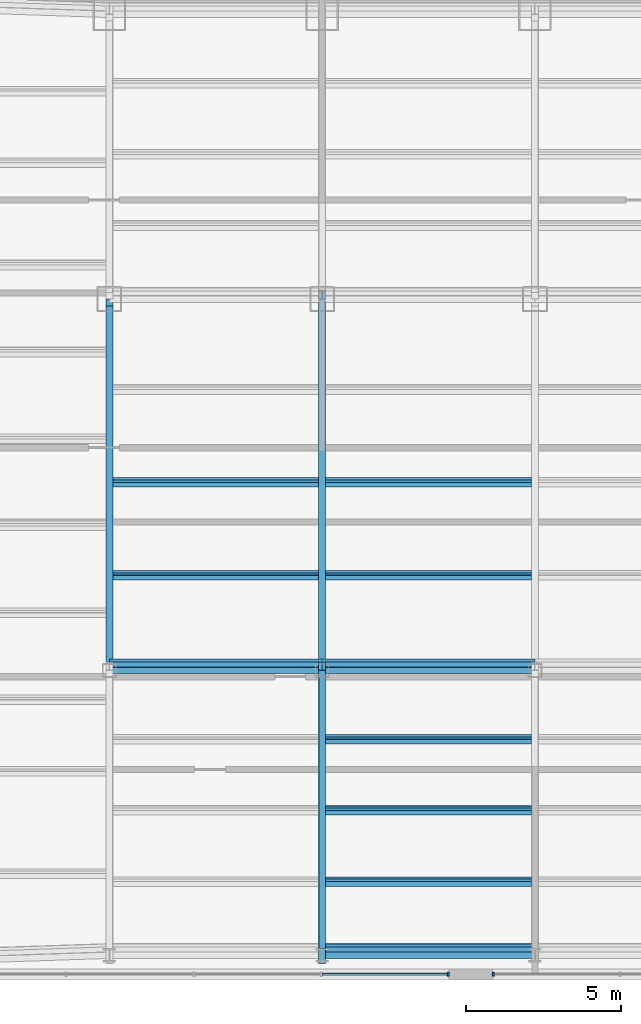
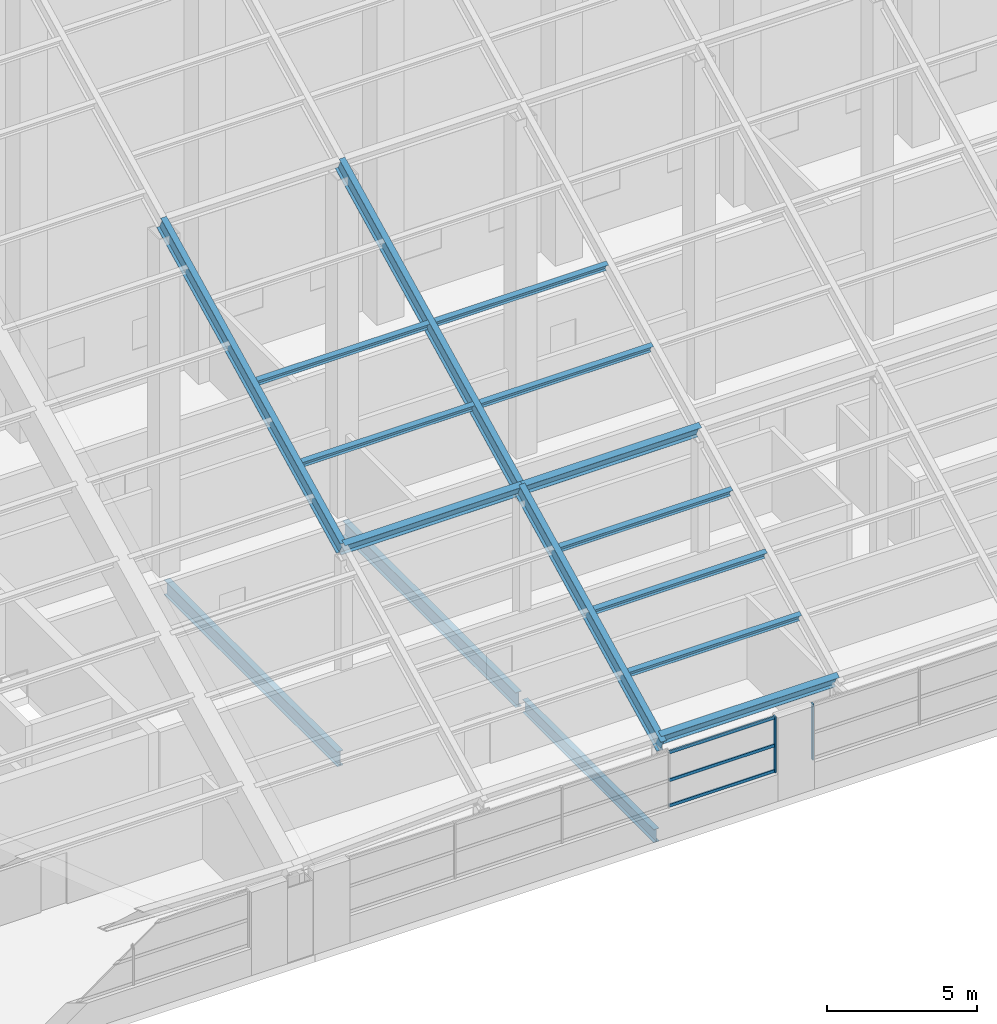
# One storey, part 8 of 28: 18 members, 3 beams, 2 elements without a shape of their own.
"""IFC4 building model written with IfcOpenShell, lengths in metres."""

from ifc_helpers import new_model, si_unit, direction, frame, origin, origin_2d, place, context, subcontext, project, spatial, rectangle, i_section, extrude, material, material_profile, profile_set, type_object, element, aggregate, save


model = new_model("IFC4")

# Units and contexts
model_context = context("Model", 3, precision=1e-05, world=origin(), true_north=direction((0.0, 1.0)))
body_context = subcontext(model_context, "Body", "Model", "MODEL_VIEW")
ifc_project = project(units=[si_unit("LENGTHUNIT", "METRE"), si_unit("AREAUNIT", "SQUARE_METRE"), si_unit("VOLUMEUNIT", "CUBIC_METRE"), si_unit("PLANEANGLEUNIT", "RADIAN"), si_unit("MASSUNIT", "GRAM", prefix="KILO")], contexts=[model_context])

# Site, building, storey
site_placement = place(None, origin())
site = spatial("IfcSite", under=ifc_project, at=site_placement, CompositionType="ELEMENT")
building_placement = place(site_placement, origin())
building = spatial("IfcBuilding", under=site, at=building_placement, Name="Tuart Gate Housing", CompositionType="ELEMENT")
storey_placement = place(building_placement, frame((0.0, 0.0, 243.89990234375)))
storey = spatial("IfcBuildingStorey", under=building, at=storey_placement, Name="L68", CompositionType="ELEMENT", Elevation=243.89990234375)

# Members
ifc_material_1 = material(Name="Steel Grade 350", Category="steel")
ifc_material_profile_1 = material_profile(ifc_material_1, i_section(OverallWidth=0.22900390625, OverallDepth=0.612060546875, WebThickness=0.011962890625, FlangeThickness=0.01953125, at=origin_2d()), Name="610UB125")
ifc_profile_set_1 = profile_set([ifc_material_profile_1], Name="Steel Grade 350")
member_type_1 = type_object("IfcMemberType", Name="Crown purlin 610 UB125", PredefinedType="PURLIN", material=ifc_profile_set_1)
for number, where, z_axis, x_axis, name in (
    (1, (89.75, 54.936767578125, 3.426513671875), (1.0, 0.0, 0.0), (0.0, 0.89442680992, 0.44721435766), "Crown purlin 8"),
    (2, (82.875, 64.13671875, 8.0263671875), (1.0, 0.0, 0.0), (0.0, 0.89442680992, 0.44721435766), "Crown purlin 19"),
    (3, (89.75, 64.13671875, 8.0263671875), (1.0, 0.0, 0.0), (0.0, 0.89442680992, 0.44721435766), "Crown purlin 20"),
):
    element("IfcMember", number, at=place(storey_placement, frame(where, z_axis=z_axis, x_axis=x_axis)), inside=storey, type_object=member_type_1, Name=name, PredefinedType="PURLIN", context=body_context, shape_type="SweptSolid", body=[
        extrude(i_section(OverallWidth=0.22900390625, OverallDepth=0.612060546875, WebThickness=0.011962890625, FlangeThickness=0.01953125, at=origin_2d()), origin(), (0.0, 0.0, 1.0), 6.875),
    ])
ifc_material_2 = material(Name="Steel Grade 350", Category="steel")
ifc_material_profile_2 = material_profile(ifc_material_2, i_section(OverallWidth=0.22900390625, OverallDepth=0.612060546875, WebThickness=0.011962890625, FlangeThickness=0.01953125, at=origin_2d()), Name="610UB125")
ifc_profile_set_2 = profile_set([ifc_material_profile_2], Name="Steel Grade 350")
member_type_2 = type_object("IfcMemberType", Name="Crown rafter 610 UB125 (10.3-10.6 m)", PredefinedType="RAFTER", material=ifc_profile_set_2)
member_1_placement = place(storey_placement, frame((89.75, 54.6630859375, 3.28955078125), z_axis=(0.0, 0.894427191, 0.4472135955), x_axis=(-1.0, 0.0, 0.0)))
element("IfcMember", 4, at=member_1_placement, inside=storey, type_object=member_type_2, Name="Crown rafter 15", PredefinedType="RAFTER", context=body_context, shape_type="SweptSolid", body=[
    extrude(i_section(OverallWidth=0.22900390625, OverallDepth=0.612060546875, WebThickness=0.011962890625, FlangeThickness=0.01953125, at=origin_2d()), origin(), (0.0, 0.0, 1.0), 10.591796875),
])
ifc_material_3 = material(Name="Steel Grade 350", Category="steel")
ifc_material_profile_3 = material_profile(ifc_material_3, i_section(OverallWidth=0.22900390625, OverallDepth=0.612060546875, WebThickness=0.011962890625, FlangeThickness=0.01953125, at=origin_2d()), Name="610UB125")
ifc_profile_set_3 = profile_set([ifc_material_profile_3], Name="Steel Grade 350")
member_type_3 = type_object("IfcMemberType", Name="Crown rafter 610 UB125 (13.4-13.4 m)", PredefinedType="RAFTER", material=ifc_profile_set_3)
for number, where, z_axis, x_axis, name in (
    (5, (82.875, 64.13671875, 8.0263671875), (0.0, 0.894427191, 0.4472135955), (-1.0, 0.0, 0.0), "Crown rafter 13"),
    (6, (89.75, 64.13671875, 8.0263671875), (0.0, 0.894427191, 0.4472135955), (-1.0, 0.0, 0.0), "Crown rafter 16"),
):
    element("IfcMember", number, at=place(storey_placement, frame(where, z_axis=z_axis, x_axis=x_axis)), inside=storey, type_object=member_type_3, Name=name, PredefinedType="RAFTER", context=body_context, shape_type="SweptSolid", body=[
        extrude(i_section(OverallWidth=0.22900390625, OverallDepth=0.612060546875, WebThickness=0.011962890625, FlangeThickness=0.01953125, at=origin_2d()), origin(), (0.0, 0.0, 1.0), 13.41650390625),
    ])
ifc_material_4 = material(Name="Steel Grade 350", Category="steel")
ifc_material_profile_4 = material_profile(ifc_material_4, i_section(OverallWidth=0.1708984375, OverallDepth=0.35205078125, WebThickness=0.0068359375, FlangeThickness=0.009765625, at=origin_2d()), Name="360UB44.7")
ifc_profile_set_4 = profile_set([ifc_material_profile_4], Name="Steel Grade 350")
member_type_4 = type_object("IfcMemberType", Name="Crown secondary purlin 360 UB44.7", PredefinedType="PURLIN", material=ifc_profile_set_4)
for number, where, z_axis, x_axis, name in (
    (7, (89.864501953125, 57.1787109375, 4.692626953125), (1.0, 0.0, 0.0), (0.0, 0.89442680992, 0.44721435766), "Crown secondary purlin 2"),
    (8, (89.864501953125, 59.478759765625, 5.8427734375), (1.0, 0.0, 0.0), (0.0, 0.89442680992, 0.44721435766), "Crown secondary purlin 17"),
    (9, (89.864501953125, 61.77880859375, 6.99267578125), (1.0, 0.0, 0.0), (0.0, 0.89442680992, 0.44721435766), "Crown secondary purlin 29"),
    (10, (82.989501953125, 67.07861328125, 9.642578125), (1.0, 0.0, 0.0), (0.0, 0.89442680992, 0.44721435766), "Crown secondary purlin 52"),
    (11, (89.864501953125, 67.07861328125, 9.642578125), (1.0, 0.0, 0.0), (0.0, 0.89442680992, 0.44721435766), "Crown secondary purlin 53"),
    (12, (82.989501953125, 70.07861328125, 11.142578125), (1.0, 0.0, 0.0), (0.0, 0.89442680992, 0.44721435766), "Crown secondary purlin 67"),
    (13, (89.864501953125, 70.07861328125, 11.142578125), (1.0, 0.0, 0.0), (0.0, 0.89442680992, 0.44721435766), "Crown secondary purlin 68"),
):
    element("IfcMember", number, at=place(storey_placement, frame(where, z_axis=z_axis, x_axis=x_axis)), inside=storey, type_object=member_type_4, Name=name, PredefinedType="PURLIN", context=body_context, shape_type="SweptSolid", body=[
        extrude(i_section(OverallWidth=0.1708984375, OverallDepth=0.35205078125, WebThickness=0.0068359375, FlangeThickness=0.009765625, at=origin_2d()), origin(), (0.0, 0.0, 1.0), 6.64599609375),
    ])

# Beams
ifc_material_5 = material(Name="Steel Grade 350", Category="steel")
ifc_material_profile_5 = material_profile(ifc_material_5, i_section(OverallWidth=0.208984375, OverallDepth=0.532958984375, WebThickness=0.01025390625, FlangeThickness=0.015625, at=origin_2d()), Name="530UB92.4")
ifc_profile_set_5 = profile_set([ifc_material_profile_5], Name="Steel Grade 350")
beam_type_1 = type_object("IfcBeamType", Name="Floor beam 530 UB92.4", PredefinedType="BEAM", material=ifc_profile_set_5)
beam_placement = place(storey_placement, frame((89.75, 55.014892578125, -0.56689453125), z_axis=(0.0, 1.0, 0.0), x_axis=(-1.0, 0.0, 0.0)))
element("IfcBeam", 14, at=beam_placement, inside=storey, type_object=beam_type_1, Name="Block floor beam L68 bay 2 position 1", PredefinedType="BEAM", context=body_context, shape_type="SweptSolid", body=[
    extrude(i_section(OverallWidth=0.208984375, OverallDepth=0.532958984375, WebThickness=0.01025390625, FlangeThickness=0.015625, at=origin_2d()), origin(), (0.0, 0.0, 1.0), 8.77001953125),
])
ifc_material_6 = material(Name="Steel Grade 350", Category="steel")
ifc_material_profile_6 = material_profile(ifc_material_6, i_section(OverallWidth=0.22900390625, OverallDepth=0.612060546875, WebThickness=0.011962890625, FlangeThickness=0.01953125, at=origin_2d()), Name="610UB125")
ifc_profile_set_6 = profile_set([ifc_material_profile_6], Name="Steel Grade 350")
beam_type_2 = type_object("IfcBeamType", Name="Floor beam 610 UB125", PredefinedType="BEAM", material=ifc_profile_set_6)
for number, where, z_axis, x_axis, name in (
    (15, (82.875, 64.215087890625, -0.60595703125), (0.0, 1.0, 0.0), (-1.0, 0.0, 0.0), "Block floor beam L68 bay 1 position 2"),
    (16, (89.75, 64.215087890625, -0.60595703125), (0.0, 1.0, 0.0), (-1.0, 0.0, 0.0), "Block floor beam L68 bay 2 position 2"),
):
    element("IfcBeam", number, at=place(storey_placement, frame(where, z_axis=z_axis, x_axis=x_axis)), inside=storey, type_object=beam_type_2, Name=name, PredefinedType="BEAM", context=body_context, shape_type="SweptSolid", body=[
        extrude(i_section(OverallWidth=0.22900390625, OverallDepth=0.612060546875, WebThickness=0.011962890625, FlangeThickness=0.01953125, at=origin_2d()), origin(), (0.0, 0.0, 1.0), 11.56982421875),
    ])

# Curtain wall, member
ifc_material_7 = material(Name="Aluminium and clear glass", Category="aluminium")
curtain_wall_type = type_object("IfcCurtainWallType", Name="Crown clerestory glazing", PredefinedType="USERDEFINED", material=ifc_material_7)
curtain_wall_1_placement = place(storey_placement, origin())
curtain_wall_1 = element("IfcCurtainWall", 17, at=curtain_wall_1_placement, inside=storey, type_object=curtain_wall_type, Name="Crown clerestory glazing BLK-S L68", ObjectType="CROWN CLERESTORY GLAZING", PredefinedType="USERDEFINED")
ifc_material_8 = material(Name="Anodised aluminium", Category="aluminium")
ifc_material_profile_7 = material_profile(ifc_material_8, rectangle(XDim=0.06005859375, YDim=0.125, at=origin_2d()), Name="60x125")
ifc_profile_set_7 = profile_set([ifc_material_profile_7], Name="Anodised aluminium")
member_type_5 = type_object("IfcMemberType", Name="Mullion 60 x 125", PredefinedType="MULLION", material=ifc_profile_set_7)
member_2_placement = place(storey_placement, frame((93.820068359375, 54.179931640625, 1.10009765625), z_axis=(0.0, 0.0, 1.0), x_axis=(1.0, 0.0, 0.0)))
member_2 = element("IfcMember", 18, at=member_2_placement, type_object=member_type_5, Name="CW6 mullion 5", PredefinedType="MULLION", context=body_context, shape_type="SweptSolid", body=[
    extrude(rectangle(XDim=0.06005859375, YDim=0.125, at=origin_2d()), origin(), (0.0, 0.0, 1.0), 2.2900390625),
])

curtain_wall_2_placement = place(storey_placement, origin())
curtain_wall_2 = element("IfcCurtainWall", 19, at=curtain_wall_2_placement, inside=storey, type_object=curtain_wall_type, Name="Crown clerestory glazing BLK-S L68", ObjectType="CROWN CLERESTORY GLAZING", PredefinedType="USERDEFINED")
member_3_placement = place(storey_placement, frame((95.280029296875, 54.179931640625, 1.10009765625), z_axis=(0.0, 0.0, 1.0), x_axis=(1.0, 0.0, 0.0)))
member_3 = element("IfcMember", 20, at=member_3_placement, type_object=member_type_5, Name="CW6 mullion 1", PredefinedType="MULLION", context=body_context, shape_type="SweptSolid", body=[
    extrude(rectangle(XDim=0.06005859375, YDim=0.125, at=origin_2d()), origin(), (0.0, 0.0, 1.0), 2.2900390625),
])
aggregate(curtain_wall_2, [member_3])

# Member
ifc_material_9 = material(Name="Anodised aluminium", Category="aluminium")
ifc_material_profile_8 = material_profile(ifc_material_9, rectangle(XDim=0.06005859375, YDim=0.1201171875, at=origin_2d()), Name="60x120")
ifc_profile_set_8 = profile_set([ifc_material_profile_8], Name="Anodised aluminium")
member_type_6 = type_object("IfcMemberType", Name="Transom 60 x 120", PredefinedType="USERDEFINED", material=ifc_profile_set_8)
member_4_placement = place(storey_placement, frame((89.7548828125, 54.179931640625, 1.16015625), z_axis=(1.0, 0.0, 0.0), x_axis=(0.0, 1.0, 0.0)))
member_4 = element("IfcMember", 21, at=member_4_placement, type_object=member_type_6, Name="CW6 transom 4.1", ObjectType="TRANSOM", PredefinedType="USERDEFINED", context=body_context, shape_type="SweptSolid", body=[
    extrude(rectangle(XDim=0.06005859375, YDim=0.1201171875, at=origin_2d()), origin(), (0.0, 0.0, 1.0), 4.03515625),
])

member_5_placement = place(storey_placement, frame((89.7548828125, 54.179931640625, 2.2001953125), z_axis=(1.0, 0.0, 0.0), x_axis=(0.0, 1.0, 0.0)))
member_5 = element("IfcMember", 22, at=member_5_placement, type_object=member_type_6, Name="CW6 transom 4.2", ObjectType="TRANSOM", PredefinedType="USERDEFINED", context=body_context, shape_type="SweptSolid", body=[
    extrude(rectangle(XDim=0.06005859375, YDim=0.1201171875, at=origin_2d()), origin(), (0.0, 0.0, 1.0), 4.03515625),
])

member_6_placement = place(storey_placement, frame((89.7548828125, 54.179931640625, 3.330078125), z_axis=(1.0, 0.0, 0.0), x_axis=(0.0, 1.0, 0.0)))
member_6 = element("IfcMember", 23, at=member_6_placement, type_object=member_type_6, Name="CW6 transom 4.3", ObjectType="TRANSOM", PredefinedType="USERDEFINED", context=body_context, shape_type="SweptSolid", body=[
    extrude(rectangle(XDim=0.06005859375, YDim=0.1201171875, at=origin_2d()), origin(), (0.0, 0.0, 1.0), 4.03515625),
])

aggregate(curtain_wall_1, [member_2, member_4, member_5, member_6])

save(model, "model.ifc")
